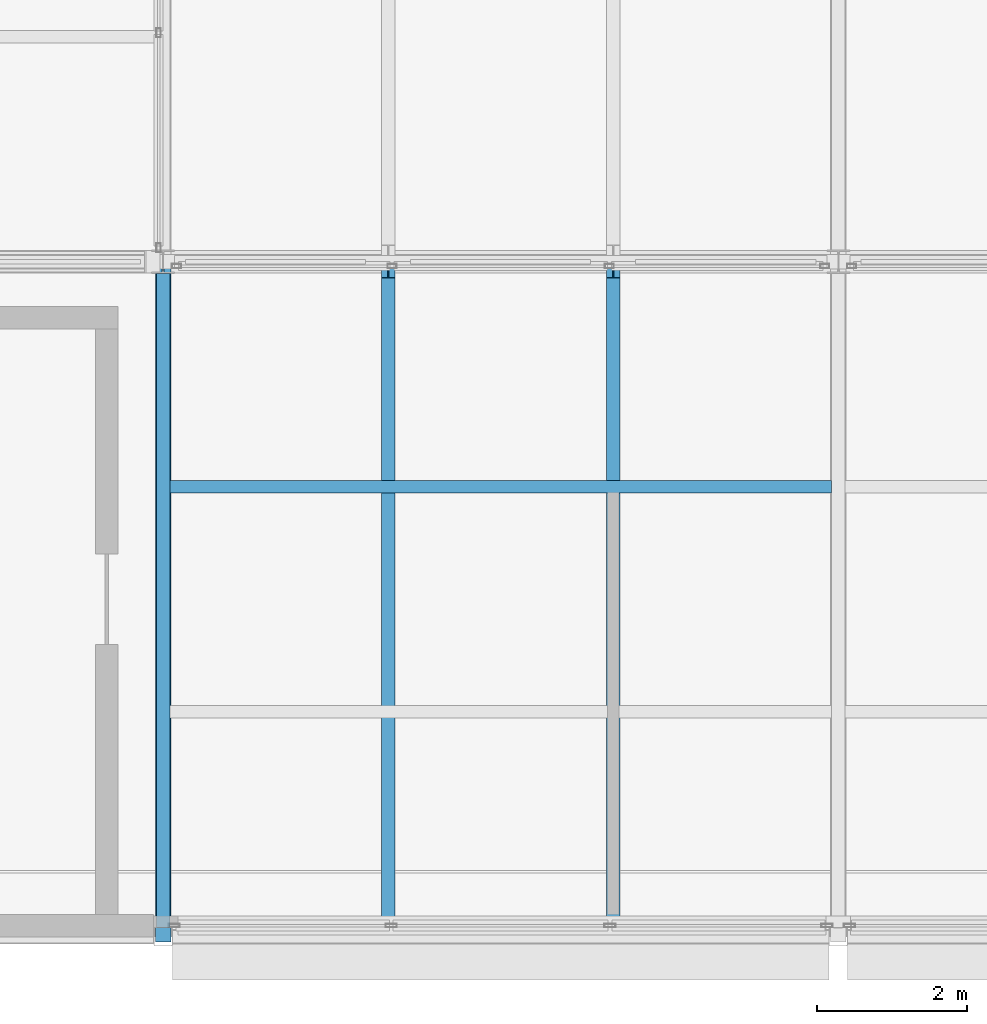
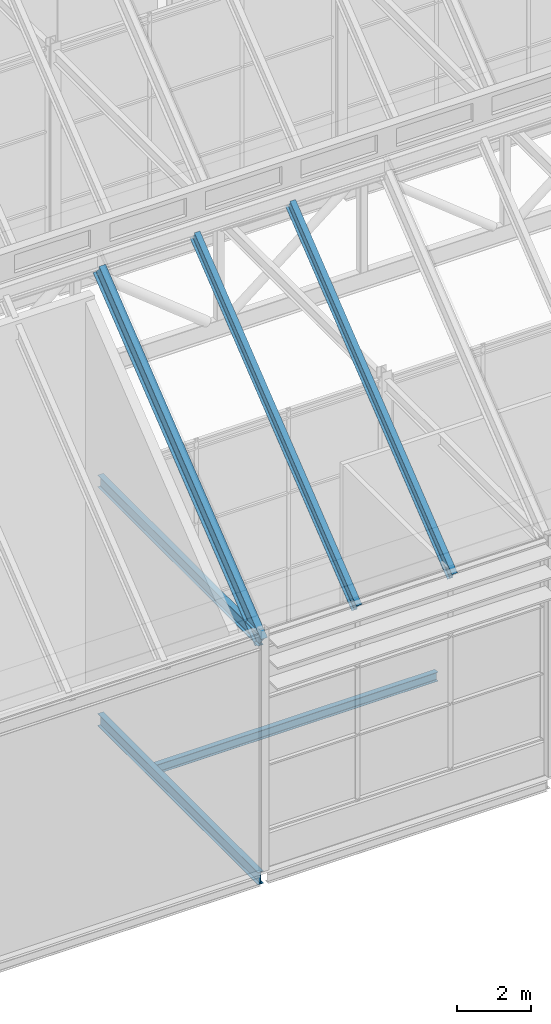
# One storey, part 11 of 144: 3 beams, 3 members.
"""IFC4 building model written with IfcOpenShell, lengths in metres."""

from ifc_helpers import new_model, si_unit, direction, frame, origin, origin_2d, place, context, subcontext, project, spatial, i_section, extrude, material, material_profile, profile_set, type_object, element, save


model = new_model("IFC4")

# Units and contexts
model_context = context("Model", 3, precision=1e-05, world=origin(), true_north=direction((0.0, 1.0)))
body_context = subcontext(model_context, "Body", "Model", "MODEL_VIEW")
ifc_project = project(units=[si_unit("LENGTHUNIT", "METRE"), si_unit("AREAUNIT", "SQUARE_METRE"), si_unit("VOLUMEUNIT", "CUBIC_METRE"), si_unit("PLANEANGLEUNIT", "RADIAN"), si_unit("MASSUNIT", "GRAM", prefix="KILO")], contexts=[model_context])

# Site, building, storey
site_placement = place(None, origin())
site = spatial("IfcSite", under=ifc_project, at=site_placement, CompositionType="ELEMENT")
building_placement = place(site_placement, origin())
building = spatial("IfcBuilding", under=site, at=building_placement, Name="Shorebreak Coast Museum", CompositionType="ELEMENT")
storey_placement = place(building_placement, frame((0.0, 0.0, 36.0)))
storey = spatial("IfcBuildingStorey", under=building, at=storey_placement, Name="L06", CompositionType="ELEMENT", Elevation=36.0)

# Beams
ifc_material_1 = material(Name="Steel Grade 300", Category="steel")
ifc_material_profile_1 = material_profile(ifc_material_1, i_section(OverallWidth=0.177978515625, OverallDepth=0.406494140625, WebThickness=0.0078125, FlangeThickness=0.0126953125, FilletRadius=0.011474609375, at=origin_2d()), Name="410UB59.7")
ifc_profile_set_1 = profile_set([ifc_material_profile_1], Name="Steel Grade 300")
beam_type_1 = type_object("IfcBeamType", Name="Floor girder north-south 410UB59.7", PredefinedType="BEAM", material=ifc_profile_set_1)
beam_1_placement = place(storey_placement, frame((63.0, 54.125, -0.378173828125), z_axis=(0.0, 1.0, 0.0), x_axis=(-1.0, 0.0, 0.0)))
element("IfcBeam", 1, at=beam_1_placement, inside=storey, type_object=beam_type_1, Name="Floor girder north-south L06 8G", PredefinedType="BEAM", context=body_context, shape_type="SweptSolid", body=[
    extrude(i_section(OverallWidth=0.177978515625, OverallDepth=0.406494140625, WebThickness=0.0078125, FlangeThickness=0.0126953125, FilletRadius=0.011474609375, at=origin_2d()), origin(), (0.0, 0.0, 1.0), 8.7177734375),
])
ifc_material_2 = material(Name="Steel Grade 300", Category="steel")
ifc_material_profile_2 = material_profile(ifc_material_2, i_section(OverallWidth=0.1650390625, OverallDepth=0.303955078125, WebThickness=0.006103515625, FlangeThickness=0.01025390625, FilletRadius=0.011474609375, at=origin_2d()), Name="310UB40.4")
ifc_profile_set_2 = profile_set([ifc_material_profile_2], Name="Steel Grade 300")
beam_type_2 = type_object("IfcBeamType", Name="Floor joist 310UB40.4", PredefinedType="JOIST", material=ifc_profile_set_2)
beam_2_placement = place(storey_placement, frame((63.089111328125, 60.0, -0.326904296875), z_axis=(1.0, 0.0, 0.0), x_axis=(0.0, 1.0, 0.0)))
element("IfcBeam", 2, at=beam_2_placement, inside=storey, type_object=beam_type_2, Name="Floor joist L06 bay 8G at 6000 mm", PredefinedType="JOIST", context=body_context, shape_type="SweptSolid", body=[
    extrude(i_section(OverallWidth=0.1650390625, OverallDepth=0.303955078125, WebThickness=0.006103515625, FlangeThickness=0.01025390625, FilletRadius=0.011474609375, at=origin_2d()), origin(), (0.0, 0.0, 1.0), 8.82177734375),
])

# Members
ifc_material_3 = material(Name="Steel Grade 300", Category="steel")
ifc_material_profile_3 = material_profile(ifc_material_3, i_section(OverallWidth=0.177978515625, OverallDepth=0.402587890625, WebThickness=0.007568359375, FlangeThickness=0.010986328125, FilletRadius=0.011474609375, at=origin_2d()), Name="410UB53.7")
ifc_profile_set_3 = profile_set([ifc_material_profile_3], Name="Steel Grade 300")
member_type_1 = type_object("IfcMemberType", Name="Fold rafter 410UB53.7", PredefinedType="RAFTER", material=ifc_profile_set_3)
for number, where, z_axis, x_axis, name in (
    (3, (66.0, 62.905029296875, 14.610107421875), (0.0, -0.780866698312, -0.624697686459), (1.0, 0.0, 0.0), "Fold rafter FOLD-X line 1 05"),
    (4, (69.0, 62.905029296875, 14.610107421875), (0.0, -0.780866698312, -0.624697686459), (1.0, 0.0, 0.0), "Fold rafter FOLD-X line 1 06"),
):
    element("IfcMember", number, at=place(storey_placement, frame(where, z_axis=z_axis, x_axis=x_axis)), inside=storey, type_object=member_type_1, Name=name, PredefinedType="RAFTER", context=body_context, shape_type="SweptSolid", body=[
        extrude(i_section(OverallWidth=0.177978515625, OverallDepth=0.402587890625, WebThickness=0.007568359375, FlangeThickness=0.010986328125, FilletRadius=0.011474609375, at=origin_2d()), origin(), (0.0, 0.0, 1.0), 11.282470703125),
    ])
ifc_material_4 = material(Name="Steel Grade 300", Category="steel")
ifc_material_profile_4 = material_profile(ifc_material_4, i_section(OverallWidth=0.208984375, OverallDepth=0.5283203125, WebThickness=0.009521484375, FlangeThickness=0.01318359375, FilletRadius=0.013916015625, at=origin_2d()), Name="530UB82.0")
ifc_profile_set_4 = profile_set([ifc_material_profile_4], Name="Steel Grade 300")
member_type_2 = type_object("IfcMemberType", Name="Fold rib rafter 530UB82.0", PredefinedType="RAFTER", material=ifc_profile_set_4)
member_placement = place(storey_placement, frame((63.0, 62.905029296875, 14.52978515625), z_axis=(0.0, -0.780866698312, -0.624697686459), x_axis=(1.0, 0.0, 0.0)))
element("IfcMember", 5, at=member_placement, inside=storey, type_object=member_type_2, Name="Fold rib rafter FOLD-X line 1 04", PredefinedType="RAFTER", context=body_context, shape_type="SweptSolid", body=[
    extrude(i_section(OverallWidth=0.208984375, OverallDepth=0.5283203125, WebThickness=0.009521484375, FlangeThickness=0.01318359375, FilletRadius=0.013916015625, at=origin_2d()), origin(), (0.0, 0.0, 1.0), 11.282470703125),
])

# Beam
ifc_material_5 = material(Name="Steel Grade 300", Category="steel")
ifc_material_profile_5 = material_profile(ifc_material_5, i_section(OverallWidth=0.177978515625, OverallDepth=0.402587890625, WebThickness=0.007568359375, FlangeThickness=0.010986328125, FilletRadius=0.011474609375, at=origin_2d()), Name="410UB53.7")
ifc_profile_set_5 = profile_set([ifc_material_profile_5], Name="Steel Grade 300")
beam_type_3 = type_object("IfcBeamType", Name="Fold rib tie 410UB53.7", PredefinedType="BEAM", material=ifc_profile_set_5)
beam_3_placement = place(storey_placement, frame((63.0, 54.125, 7.54248046875), z_axis=(0.0, 1.0, 0.0), x_axis=(-1.0, 0.0, 0.0)))
element("IfcBeam", 6, at=beam_3_placement, inside=storey, type_object=beam_type_3, Name="Fold rib tie FOLD-X rib 8 G-H", PredefinedType="BEAM", context=body_context, shape_type="SweptSolid", body=[
    extrude(i_section(OverallWidth=0.177978515625, OverallDepth=0.402587890625, WebThickness=0.007568359375, FlangeThickness=0.010986328125, FilletRadius=0.011474609375, at=origin_2d()), origin(), (0.0, 0.0, 1.0), 8.7177734375),
])

save(model, "model.ifc")
